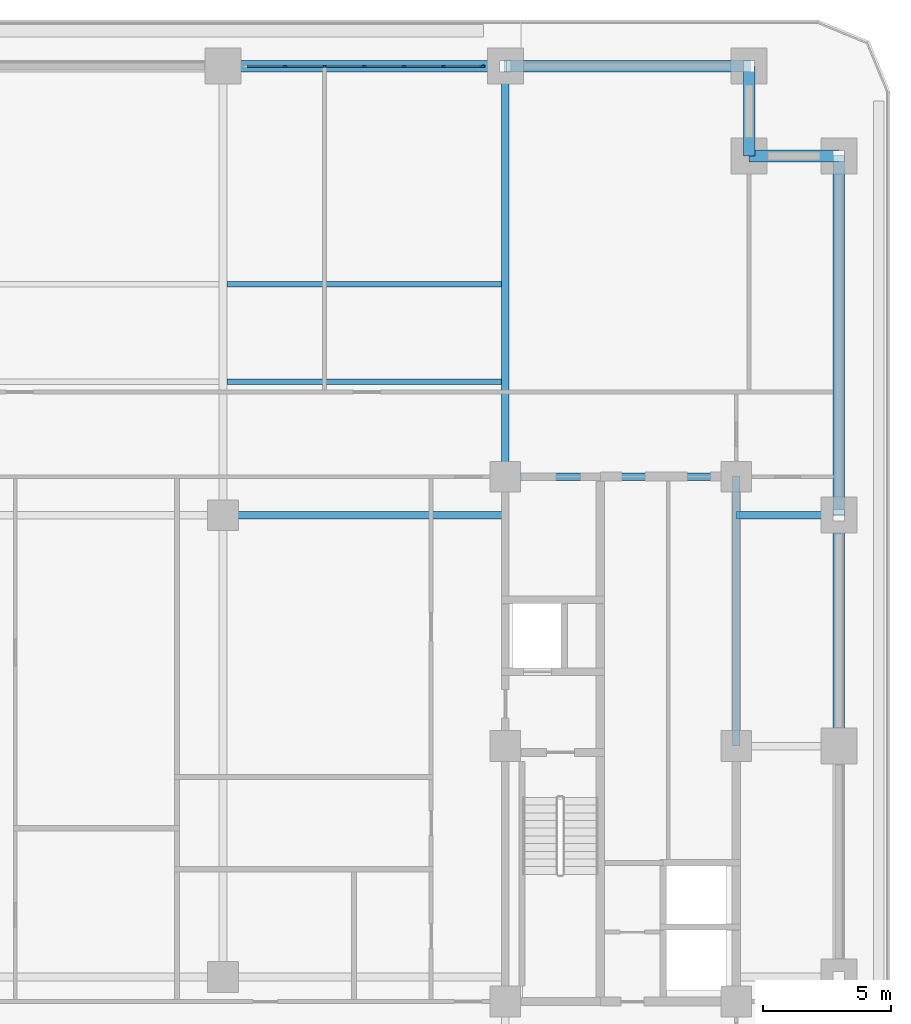
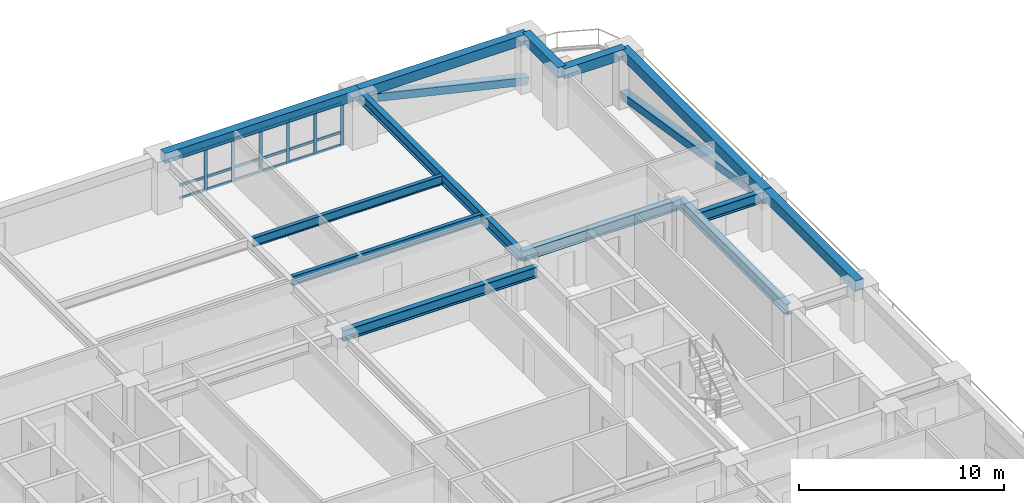
# One storey, part 5 of 18: 26 members, 13 beams, 1 element without a shape of its own.
"""IFC4 building model written with IfcOpenShell, lengths in metres."""

from ifc_helpers import new_model, si_unit, direction, frame, origin, origin_2d, place, context, subcontext, project, spatial, rectangle, hollow_rectangle, i_section, extrude, material, material_profile, profile_set, type_object, element, aggregate, save


model = new_model("IFC4")

# Units and contexts
model_context = context("Model", 3, precision=1e-05, world=origin(), true_north=direction((0.0, 1.0)))
body_context = subcontext(model_context, "Body", "Model", "MODEL_VIEW")
ifc_project = project(units=[si_unit("LENGTHUNIT", "METRE"), si_unit("AREAUNIT", "SQUARE_METRE"), si_unit("VOLUMEUNIT", "CUBIC_METRE"), si_unit("PLANEANGLEUNIT", "RADIAN"), si_unit("MASSUNIT", "GRAM", prefix="KILO")], contexts=[model_context])

# Site, building, storey
site_placement = place(None, origin())
site = spatial("IfcSite", under=ifc_project, at=site_placement, CompositionType="ELEMENT")
building_placement = place(site_placement, origin())
building = spatial("IfcBuilding", under=site, at=building_placement, Name="Zulmaris Gate Convention Tower", CompositionType="ELEMENT")
storey_placement = place(building_placement, frame((0.0, 0.0, 78.60986328125)))
storey = spatial("IfcBuildingStorey", under=building, at=storey_placement, Name="L19", CompositionType="ELEMENT", Elevation=78.60986328125)

# Beams
ifc_material_1 = material(Name="Steel S355", Category="steel")
ifc_material_profile_1 = material_profile(ifc_material_1, i_section(OverallWidth=0.300048828125, OverallDepth=0.64990234375, WebThickness=0.01611328125, FlangeThickness=0.031005859375, FilletRadius=0.027099609375, at=origin_2d()), Name="HEB 650")
ifc_profile_set_1 = profile_set([ifc_material_profile_1], Name="Steel S355")
beam_type_1 = type_object("IfcBeamType", Name="BM-HEB650", PredefinedType="BEAM", material=ifc_profile_set_1)
beam_1_placement = place(storey_placement, frame((0.0, 9.0, 2.818115234375), z_axis=(1.0, 0.0, 0.0), x_axis=(0.0, 1.0, 0.0)))
element("IfcBeam", 1, at=beam_1_placement, inside=storey, type_object=beam_type_1, Name="L19 Beam BM-L19-G04", PredefinedType="BEAM", context=body_context, shape_type="SweptSolid", body=[
    extrude(i_section(OverallWidth=0.300048828125, OverallDepth=0.64990234375, WebThickness=0.01611328125, FlangeThickness=0.031005859375, FilletRadius=0.027099609375, at=origin_2d()), origin(), (0.0, 0.0, 1.0), 11.0),
])
beam_2_placement = place(storey_placement, frame((11.0, 10.5, 2.818115234375), z_axis=(0.0, 1.0, 0.0), x_axis=(-1.0, 0.0, 0.0)))
element("IfcBeam", 2, at=beam_2_placement, inside=storey, type_object=beam_type_1, Name="L19 Beam BM-L19-G11", PredefinedType="BEAM", context=body_context, shape_type="SweptSolid", body=[
    extrude(i_section(OverallWidth=0.300048828125, OverallDepth=0.64990234375, WebThickness=0.01611328125, FlangeThickness=0.031005859375, FilletRadius=0.027099609375, at=origin_2d()), origin(), (0.0, 0.0, 1.0), 16.0),
])
beam_3_placement = place(storey_placement, frame((20.0, 9.0, 2.818115234375), z_axis=(1.0, 0.0, 0.0), x_axis=(0.0, 1.0, 0.0)))
element("IfcBeam", 3, at=beam_3_placement, inside=storey, type_object=beam_type_1, Name="L19 Beam BM-L19-G21", PredefinedType="BEAM", context=body_context, shape_type="SweptSolid", body=[
    extrude(i_section(OverallWidth=0.300048828125, OverallDepth=0.64990234375, WebThickness=0.01611328125, FlangeThickness=0.031005859375, FilletRadius=0.027099609375, at=origin_2d()), origin(), (0.0, 0.0, 1.0), 4.0),
])
beam_4_placement = place(storey_placement, frame((11.0, 10.5, 2.818115234375), z_axis=(1.0, 0.0, 0.0), x_axis=(0.0, 1.0, 0.0)))
element("IfcBeam", 4, at=beam_4_placement, inside=storey, type_object=beam_type_1, Name="L19 Beam BM-L19-G25", PredefinedType="BEAM", context=body_context, shape_type="SweptSolid", body=[
    extrude(i_section(OverallWidth=0.300048828125, OverallDepth=0.64990234375, WebThickness=0.01611328125, FlangeThickness=0.031005859375, FilletRadius=0.027099609375, at=origin_2d()), origin(), (0.0, 0.0, 1.0), 9.0),
])
beam_5_placement = place(storey_placement, frame((20.0, 0.0, 2.818115234375), z_axis=(0.0, 1.0, 0.0), x_axis=(-1.0, 0.0, 0.0)))
element("IfcBeam", 5, at=beam_5_placement, inside=storey, type_object=beam_type_1, Name="L19 Beam BM-L19-G29", PredefinedType="BEAM", context=body_context, shape_type="SweptSolid", body=[
    extrude(i_section(OverallWidth=0.300048828125, OverallDepth=0.64990234375, WebThickness=0.01611328125, FlangeThickness=0.031005859375, FilletRadius=0.027099609375, at=origin_2d()), origin(), (0.0, 0.0, 1.0), 10.5),
])
ifc_material_2 = material(Name="Precast concrete C50/60", Category="concrete")
ifc_material_profile_2 = material_profile(ifc_material_2, rectangle(XDim=0.449951171875, YDim=0.60009765625, at=origin_2d()), Name="RC SPANDREL 450x600")
ifc_profile_set_2 = profile_set([ifc_material_profile_2], Name="Precast concrete C50/60")
beam_type_2 = type_object("IfcBeamType", Name="BM-SP450x600", PredefinedType="SPANDREL", material=ifc_profile_set_2)
beam_6_placement = place(storey_placement, frame((24.0, 0.0, 2.844970703125), z_axis=(0.0, 1.0, 0.0), x_axis=(-1.0, 0.0, 0.0)))
element("IfcBeam", 6, at=beam_6_placement, inside=storey, type_object=beam_type_2, Name="L19 Spandrel SP-L19-09", PredefinedType="SPANDREL", context=body_context, shape_type="SweptSolid", body=[
    extrude(rectangle(XDim=0.449951171875, YDim=0.60009765625, at=origin_2d()), origin(), (0.0, 0.0, 1.0), 9.0),
])
beam_7_placement = place(storey_placement, frame((24.0, 9.0, 2.844970703125), z_axis=(0.0, 1.0, 0.0), x_axis=(-1.0, 0.0, 0.0)))
element("IfcBeam", 7, at=beam_7_placement, inside=storey, type_object=beam_type_2, Name="L19 Spandrel SP-L19-10", PredefinedType="SPANDREL", context=body_context, shape_type="SweptSolid", body=[
    extrude(rectangle(XDim=0.449951171875, YDim=0.60009765625, at=origin_2d()), origin(), (0.0, 0.0, 1.0), 14.0),
])
for number, where, z_axis, x_axis, name in (
    (8, (24.0, 23.0, 2.844970703125), (-1.0, 0.0, 0.0), (0.0, -1.0, 0.0), "L19 Spandrel SP-L19-11"),
    (9, (20.5, 23.0, 2.844970703125), (0.0, 1.0, 0.0), (-1.0, 0.0, 0.0), "L19 Spandrel SP-L19-12"),
):
    element("IfcBeam", number, at=place(storey_placement, frame(where, z_axis=z_axis, x_axis=x_axis)), inside=storey, type_object=beam_type_2, Name=name, PredefinedType="SPANDREL", context=body_context, shape_type="SweptSolid", body=[
        extrude(rectangle(XDim=0.449951171875, YDim=0.60009765625, at=origin_2d()), origin(), (0.0, 0.0, 1.0), 3.5),
    ])
beam_8_placement = place(storey_placement, frame((20.5, 26.5, 2.844970703125), z_axis=(-1.0, 0.0, 0.0), x_axis=(0.0, -1.0, 0.0)))
element("IfcBeam", 10, at=beam_8_placement, inside=storey, type_object=beam_type_2, Name="L19 Spandrel SP-L19-13", PredefinedType="SPANDREL", context=body_context, shape_type="SweptSolid", body=[
    extrude(rectangle(XDim=0.449951171875, YDim=0.60009765625, at=origin_2d()), origin(), (0.0, 0.0, 1.0), 9.5),
])
beam_9_placement = place(storey_placement, frame((11.0, 26.5, 2.844970703125), z_axis=(-1.0, 0.0, 0.0), x_axis=(0.0, -1.0, 0.0)))
element("IfcBeam", 11, at=beam_9_placement, inside=storey, type_object=beam_type_2, Name="L19 Spandrel SP-L19-14", PredefinedType="SPANDREL", context=body_context, shape_type="SweptSolid", body=[
    extrude(rectangle(XDim=0.449951171875, YDim=0.60009765625, at=origin_2d()), origin(), (0.0, 0.0, 1.0), 11.0),
])

# Members
ifc_material_3 = material(Name="Steel S460", Category="steel")
ifc_material_profile_3 = material_profile(ifc_material_3, hollow_rectangle(XDim=0.449951171875, YDim=0.449951171875, WallThickness=0.02490234375, at=origin_2d()), Name="SHS 450x450x25")
ifc_profile_set_3 = profile_set([ifc_material_profile_3], Name="Steel S460")
member_type_1 = type_object("IfcMemberType", Name="BR-SHS450", PredefinedType="BRACE", material=ifc_profile_set_3)
member_1_placement = place(storey_placement, frame((24.0, 23.0, 0.300048828125), z_axis=(0.0, -0.987604102755, 0.156965398167), x_axis=(1.0, 0.0, 0.0)))
element("IfcMember", 12, at=member_1_placement, inside=storey, type_object=member_type_1, Name="L19 Perimeter Tube Diagonal NE-E", PredefinedType="BRACE", context=body_context, shape_type="SweptSolid", body=[
    extrude(hollow_rectangle(XDim=0.449951171875, YDim=0.449951171875, WallThickness=0.02490234375, at=origin_2d()), origin(), (0.0, 0.0, 1.0), 14.17578125),
])
member_2_placement = place(storey_placement, frame((20.5, 26.5, 0.300048828125), z_axis=(-0.973649654893, 0.0, 0.228049006854), x_axis=(0.0, -1.0, 0.0)))
element("IfcMember", 13, at=member_2_placement, inside=storey, type_object=member_type_1, Name="L19 Perimeter Tube Diagonal NE-N", PredefinedType="BRACE", context=body_context, shape_type="SweptSolid", body=[
    extrude(hollow_rectangle(XDim=0.449951171875, YDim=0.449951171875, WallThickness=0.02490234375, at=origin_2d()), origin(), (0.0, 0.0, 1.0), 9.757080078125),
])

# Curtain wall, members
ifc_material_4 = material(Name="Anodised Aluminium", Category="aluminium")
curtain_wall_type = type_object("IfcCurtainWallType", Name="CW-05", PredefinedType="NOTDEFINED", material=ifc_material_4)
curtain_wall_placement = place(storey_placement, origin())
curtain_wall = element("IfcCurtainWall", 14, at=curtain_wall_placement, inside=storey, type_object=curtain_wall_type, Name="CW-05 CW05-L19-N-2_0", PredefinedType="NOTDEFINED")
ifc_material_profile_4 = material_profile(ifc_material_4, rectangle(XDim=0.074951171875, YDim=0.179931640625, at=origin_2d()), Name="ALU MULLION 75x180")
ifc_profile_set_4 = profile_set([ifc_material_profile_4], Name="Anodised Aluminium")
member_type_2 = type_object("IfcMemberType", Name="CW-05-MULL", PredefinedType="MULLION", material=ifc_profile_set_4)
member_3_placement = place(storey_placement, frame((10.1025390625, 26.5, 0.0), z_axis=(0.0, 0.0, 1.0), x_axis=(0.0, -1.0, 0.0)))
member_3 = element("IfcMember", 15, at=member_3_placement, type_object=member_type_2, Name="CW-05 mullion 1", PredefinedType="MULLION", context=body_context, shape_type="SweptSolid", body=[
    extrude(rectangle(XDim=0.074951171875, YDim=0.179931640625, at=origin_2d()), origin(), (0.0, 0.0, 1.0), 2.537109375),
])
member_4_placement = place(storey_placement, frame((8.59326171875, 26.5, 0.0), z_axis=(0.0, 0.0, 1.0), x_axis=(0.0, -1.0, 0.0)))
member_4 = element("IfcMember", 16, at=member_4_placement, type_object=member_type_2, Name="CW-05 mullion 2", PredefinedType="MULLION", context=body_context, shape_type="SweptSolid", body=[
    extrude(rectangle(XDim=0.074951171875, YDim=0.179931640625, at=origin_2d()), origin(), (0.0, 0.0, 1.0), 2.537109375),
])
member_5_placement = place(storey_placement, frame((7.046630859375, 26.5, 0.0), z_axis=(0.0, 0.0, 1.0), x_axis=(0.0, -1.0, 0.0)))
member_5 = element("IfcMember", 17, at=member_5_placement, type_object=member_type_2, Name="CW-05 mullion 3", PredefinedType="MULLION", context=body_context, shape_type="SweptSolid", body=[
    extrude(rectangle(XDim=0.074951171875, YDim=0.179931640625, at=origin_2d()), origin(), (0.0, 0.0, 1.0), 2.537109375),
])
member_6_placement = place(storey_placement, frame((5.5, 26.5, 0.0), z_axis=(0.0, 0.0, 1.0), x_axis=(0.0, -1.0, 0.0)))
member_6 = element("IfcMember", 18, at=member_6_placement, type_object=member_type_2, Name="CW-05 mullion 4", PredefinedType="MULLION", context=body_context, shape_type="SweptSolid", body=[
    extrude(rectangle(XDim=0.074951171875, YDim=0.179931640625, at=origin_2d()), origin(), (0.0, 0.0, 1.0), 2.537109375),
])
member_7_placement = place(storey_placement, frame((3.953369140625, 26.5, 0.0), z_axis=(0.0, 0.0, 1.0), x_axis=(0.0, -1.0, 0.0)))
member_7 = element("IfcMember", 19, at=member_7_placement, type_object=member_type_2, Name="CW-05 mullion 5", PredefinedType="MULLION", context=body_context, shape_type="SweptSolid", body=[
    extrude(rectangle(XDim=0.074951171875, YDim=0.179931640625, at=origin_2d()), origin(), (0.0, 0.0, 1.0), 2.537109375),
])
member_8_placement = place(storey_placement, frame((2.40673828125, 26.5, 0.0), z_axis=(0.0, 0.0, 1.0), x_axis=(0.0, -1.0, 0.0)))
member_8 = element("IfcMember", 20, at=member_8_placement, type_object=member_type_2, Name="CW-05 mullion 6", PredefinedType="MULLION", context=body_context, shape_type="SweptSolid", body=[
    extrude(rectangle(XDim=0.074951171875, YDim=0.179931640625, at=origin_2d()), origin(), (0.0, 0.0, 1.0), 2.537109375),
])
ifc_material_profile_5 = material_profile(ifc_material_4, rectangle(XDim=0.074951171875, YDim=0.14990234375, at=origin_2d()), Name="ALU TRANSOM 75x150")
ifc_profile_set_5 = profile_set([ifc_material_profile_5], Name="Anodised Aluminium")
member_type_3 = type_object("IfcMemberType", Name="CW-05-TRAN", PredefinedType="USERDEFINED", material=ifc_profile_set_5)
member_9_placement = place(storey_placement, frame((10.06494140625, 26.5, 0.03759765625), z_axis=(-1.0, 0.0, 0.0), x_axis=(0.0, -1.0, 0.0)))
member_9 = element("IfcMember", 21, at=member_9_placement, type_object=member_type_3, Name="CW-05 transom 1.1", ObjectType="TRANSOM", PredefinedType="USERDEFINED", context=body_context, shape_type="SweptSolid", body=[
    extrude(rectangle(XDim=0.074951171875, YDim=0.14990234375, at=origin_2d()), origin(), (0.0, 0.0, 1.0), 1.43408203125),
])
member_10_placement = place(storey_placement, frame((10.06494140625, 26.5, 0.800048828125), z_axis=(-1.0, 0.0, 0.0), x_axis=(0.0, -1.0, 0.0)))
member_10 = element("IfcMember", 22, at=member_10_placement, type_object=member_type_3, Name="CW-05 transom 1.2", ObjectType="TRANSOM", PredefinedType="USERDEFINED", context=body_context, shape_type="SweptSolid", body=[
    extrude(rectangle(XDim=0.074951171875, YDim=0.14990234375, at=origin_2d()), origin(), (0.0, 0.0, 1.0), 1.43408203125),
])
member_11_placement = place(storey_placement, frame((10.06494140625, 26.5, 2.49951171875), z_axis=(-1.0, 0.0, 0.0), x_axis=(0.0, -1.0, 0.0)))
member_11 = element("IfcMember", 23, at=member_11_placement, type_object=member_type_3, Name="CW-05 transom 1.3", ObjectType="TRANSOM", PredefinedType="USERDEFINED", context=body_context, shape_type="SweptSolid", body=[
    extrude(rectangle(XDim=0.074951171875, YDim=0.14990234375, at=origin_2d()), origin(), (0.0, 0.0, 1.0), 1.43408203125),
])
member_12_placement = place(storey_placement, frame((8.555908203125, 26.5, 0.03759765625), z_axis=(-1.0, 0.0, 0.0), x_axis=(0.0, -1.0, 0.0)))
member_12 = element("IfcMember", 24, at=member_12_placement, type_object=member_type_3, Name="CW-05 transom 2.1", ObjectType="TRANSOM", PredefinedType="USERDEFINED", context=body_context, shape_type="SweptSolid", body=[
    extrude(rectangle(XDim=0.074951171875, YDim=0.14990234375, at=origin_2d()), origin(), (0.0, 0.0, 1.0), 1.4716796875),
])
member_13_placement = place(storey_placement, frame((8.555908203125, 26.5, 0.800048828125), z_axis=(-1.0, 0.0, 0.0), x_axis=(0.0, -1.0, 0.0)))
member_13 = element("IfcMember", 25, at=member_13_placement, type_object=member_type_3, Name="CW-05 transom 2.2", ObjectType="TRANSOM", PredefinedType="USERDEFINED", context=body_context, shape_type="SweptSolid", body=[
    extrude(rectangle(XDim=0.074951171875, YDim=0.14990234375, at=origin_2d()), origin(), (0.0, 0.0, 1.0), 1.4716796875),
])
member_14_placement = place(storey_placement, frame((8.555908203125, 26.5, 2.49951171875), z_axis=(-1.0, 0.0, 0.0), x_axis=(0.0, -1.0, 0.0)))
member_14 = element("IfcMember", 26, at=member_14_placement, type_object=member_type_3, Name="CW-05 transom 2.3", ObjectType="TRANSOM", PredefinedType="USERDEFINED", context=body_context, shape_type="SweptSolid", body=[
    extrude(rectangle(XDim=0.074951171875, YDim=0.14990234375, at=origin_2d()), origin(), (0.0, 0.0, 1.0), 1.4716796875),
])
member_15_placement = place(storey_placement, frame((7.00927734375, 26.5, 0.03759765625), z_axis=(-1.0, 0.0, 0.0), x_axis=(0.0, -1.0, 0.0)))
member_15 = element("IfcMember", 27, at=member_15_placement, type_object=member_type_3, Name="CW-05 transom 3.1", ObjectType="TRANSOM", PredefinedType="USERDEFINED", context=body_context, shape_type="SweptSolid", body=[
    extrude(rectangle(XDim=0.074951171875, YDim=0.14990234375, at=origin_2d()), origin(), (0.0, 0.0, 1.0), 1.4716796875),
])
member_16_placement = place(storey_placement, frame((7.00927734375, 26.5, 0.800048828125), z_axis=(-1.0, 0.0, 0.0), x_axis=(0.0, -1.0, 0.0)))
member_16 = element("IfcMember", 28, at=member_16_placement, type_object=member_type_3, Name="CW-05 transom 3.2", ObjectType="TRANSOM", PredefinedType="USERDEFINED", context=body_context, shape_type="SweptSolid", body=[
    extrude(rectangle(XDim=0.074951171875, YDim=0.14990234375, at=origin_2d()), origin(), (0.0, 0.0, 1.0), 1.4716796875),
])
member_17_placement = place(storey_placement, frame((7.00927734375, 26.5, 2.49951171875), z_axis=(-1.0, 0.0, 0.0), x_axis=(0.0, -1.0, 0.0)))
member_17 = element("IfcMember", 29, at=member_17_placement, type_object=member_type_3, Name="CW-05 transom 3.3", ObjectType="TRANSOM", PredefinedType="USERDEFINED", context=body_context, shape_type="SweptSolid", body=[
    extrude(rectangle(XDim=0.074951171875, YDim=0.14990234375, at=origin_2d()), origin(), (0.0, 0.0, 1.0), 1.4716796875),
])
member_18_placement = place(storey_placement, frame((5.46240234375, 26.5, 0.03759765625), z_axis=(-1.0, 0.0, 0.0), x_axis=(0.0, -1.0, 0.0)))
member_18 = element("IfcMember", 30, at=member_18_placement, type_object=member_type_3, Name="CW-05 transom 4.1", ObjectType="TRANSOM", PredefinedType="USERDEFINED", context=body_context, shape_type="SweptSolid", body=[
    extrude(rectangle(XDim=0.074951171875, YDim=0.14990234375, at=origin_2d()), origin(), (0.0, 0.0, 1.0), 1.4716796875),
])
member_19_placement = place(storey_placement, frame((5.46240234375, 26.5, 0.800048828125), z_axis=(-1.0, 0.0, 0.0), x_axis=(0.0, -1.0, 0.0)))
member_19 = element("IfcMember", 31, at=member_19_placement, type_object=member_type_3, Name="CW-05 transom 4.2", ObjectType="TRANSOM", PredefinedType="USERDEFINED", context=body_context, shape_type="SweptSolid", body=[
    extrude(rectangle(XDim=0.074951171875, YDim=0.14990234375, at=origin_2d()), origin(), (0.0, 0.0, 1.0), 1.4716796875),
])
member_20_placement = place(storey_placement, frame((5.46240234375, 26.5, 2.49951171875), z_axis=(-1.0, 0.0, 0.0), x_axis=(0.0, -1.0, 0.0)))
member_20 = element("IfcMember", 32, at=member_20_placement, type_object=member_type_3, Name="CW-05 transom 4.3", ObjectType="TRANSOM", PredefinedType="USERDEFINED", context=body_context, shape_type="SweptSolid", body=[
    extrude(rectangle(XDim=0.074951171875, YDim=0.14990234375, at=origin_2d()), origin(), (0.0, 0.0, 1.0), 1.4716796875),
])
member_21_placement = place(storey_placement, frame((3.915771484375, 26.5, 0.03759765625), z_axis=(-1.0, 0.0, 0.0), x_axis=(0.0, -1.0, 0.0)))
member_21 = element("IfcMember", 33, at=member_21_placement, type_object=member_type_3, Name="CW-05 transom 5.1", ObjectType="TRANSOM", PredefinedType="USERDEFINED", context=body_context, shape_type="SweptSolid", body=[
    extrude(rectangle(XDim=0.074951171875, YDim=0.14990234375, at=origin_2d()), origin(), (0.0, 0.0, 1.0), 1.4716796875),
])
member_22_placement = place(storey_placement, frame((3.915771484375, 26.5, 0.800048828125), z_axis=(-1.0, 0.0, 0.0), x_axis=(0.0, -1.0, 0.0)))
member_22 = element("IfcMember", 34, at=member_22_placement, type_object=member_type_3, Name="CW-05 transom 5.2", ObjectType="TRANSOM", PredefinedType="USERDEFINED", context=body_context, shape_type="SweptSolid", body=[
    extrude(rectangle(XDim=0.074951171875, YDim=0.14990234375, at=origin_2d()), origin(), (0.0, 0.0, 1.0), 1.4716796875),
])
member_23_placement = place(storey_placement, frame((3.915771484375, 26.5, 2.49951171875), z_axis=(-1.0, 0.0, 0.0), x_axis=(0.0, -1.0, 0.0)))
member_23 = element("IfcMember", 35, at=member_23_placement, type_object=member_type_3, Name="CW-05 transom 5.3", ObjectType="TRANSOM", PredefinedType="USERDEFINED", context=body_context, shape_type="SweptSolid", body=[
    extrude(rectangle(XDim=0.074951171875, YDim=0.14990234375, at=origin_2d()), origin(), (0.0, 0.0, 1.0), 1.4716796875),
])
member_24_placement = place(storey_placement, frame((2.369140625, 26.5, 0.03759765625), z_axis=(-1.0, 0.0, 0.0), x_axis=(0.0, -1.0, 0.0)))
member_24 = element("IfcMember", 36, at=member_24_placement, type_object=member_type_3, Name="CW-05 transom 6.1", ObjectType="TRANSOM", PredefinedType="USERDEFINED", context=body_context, shape_type="SweptSolid", body=[
    extrude(rectangle(XDim=0.074951171875, YDim=0.14990234375, at=origin_2d()), origin(), (0.0, 0.0, 1.0), 1.43408203125),
])
member_25_placement = place(storey_placement, frame((2.369140625, 26.5, 0.800048828125), z_axis=(-1.0, 0.0, 0.0), x_axis=(0.0, -1.0, 0.0)))
member_25 = element("IfcMember", 37, at=member_25_placement, type_object=member_type_3, Name="CW-05 transom 6.2", ObjectType="TRANSOM", PredefinedType="USERDEFINED", context=body_context, shape_type="SweptSolid", body=[
    extrude(rectangle(XDim=0.074951171875, YDim=0.14990234375, at=origin_2d()), origin(), (0.0, 0.0, 1.0), 1.43408203125),
])
member_26_placement = place(storey_placement, frame((2.369140625, 26.5, 2.49951171875), z_axis=(-1.0, 0.0, 0.0), x_axis=(0.0, -1.0, 0.0)))
member_26 = element("IfcMember", 38, at=member_26_placement, type_object=member_type_3, Name="CW-05 transom 6.3", ObjectType="TRANSOM", PredefinedType="USERDEFINED", context=body_context, shape_type="SweptSolid", body=[
    extrude(rectangle(XDim=0.074951171875, YDim=0.14990234375, at=origin_2d()), origin(), (0.0, 0.0, 1.0), 1.43408203125),
])
aggregate(curtain_wall, [member_3, member_4, member_5, member_6, member_7, member_8, member_9, member_10, member_11, member_12, member_13, member_14, member_15, member_16, member_17, member_18, member_19, member_20, member_21, member_22, member_23, member_24, member_25, member_26])

# Beams
ifc_material_profile_6 = material_profile(ifc_material_1, i_section(OverallWidth=0.2099609375, OverallDepth=0.550048828125, WebThickness=0.010986328125, FlangeThickness=0.01708984375, FilletRadius=0.02392578125, at=origin_2d()), Name="IPE 550")
ifc_profile_set_6 = profile_set([ifc_material_profile_6], Name="Steel S355")
beam_type_3 = type_object("IfcBeamType", Name="JT-IPE550", PredefinedType="JOIST", material=ifc_profile_set_6)
for number, where, z_axis, x_axis, name in (
    (39, (0.14990234375, 14.199951171875, 2.867919921875), (1.0, 0.0, 0.0), (0.0, 1.0, 0.0), "L19 Joist JT-L19-CE-+14.2"),
    (40, (0.14990234375, 18.0, 2.867919921875), (1.0, 0.0, 0.0), (0.0, 1.0, 0.0), "L19 Joist JT-L19-CE-+18.0"),
):
    element("IfcBeam", number, at=place(storey_placement, frame(where, z_axis=z_axis, x_axis=x_axis)), inside=storey, type_object=beam_type_3, Name=name, PredefinedType="JOIST", context=body_context, shape_type="SweptSolid", body=[
        extrude(i_section(OverallWidth=0.2099609375, OverallDepth=0.550048828125, WebThickness=0.010986328125, FlangeThickness=0.01708984375, FilletRadius=0.02392578125, at=origin_2d()), origin(), (0.0, 0.0, 1.0), 10.7001953125),
    ])

save(model, "model.ifc")
